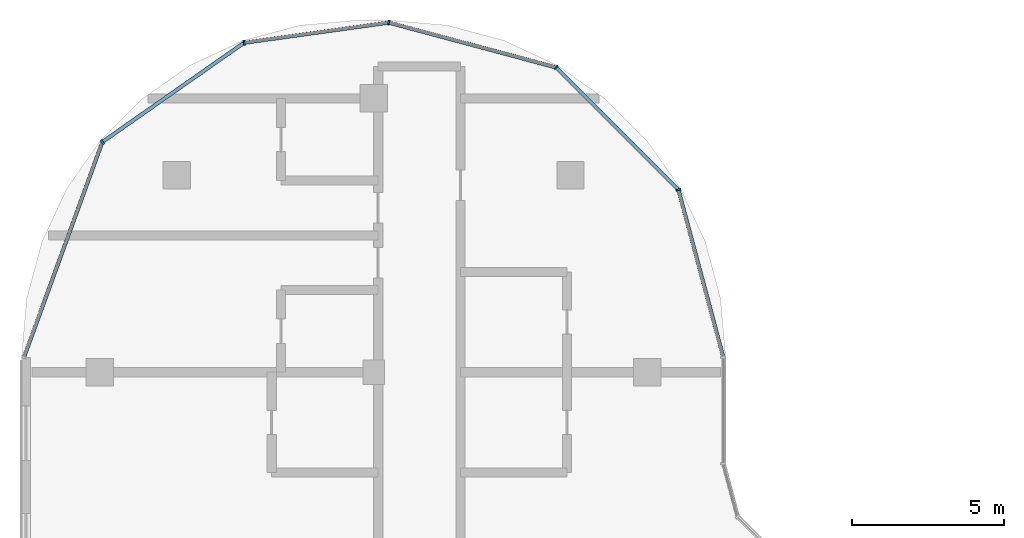
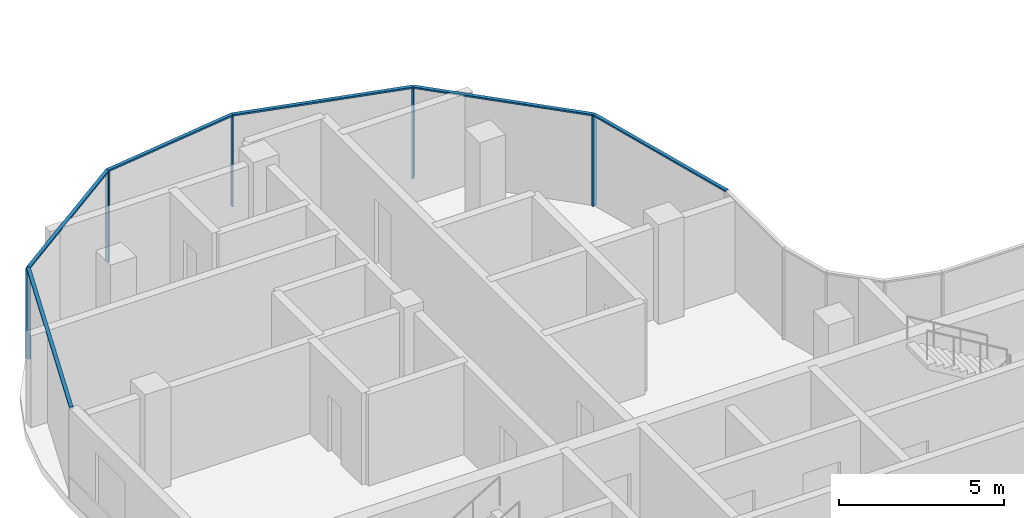
# One storey, part 6 of 18: 11 members, 1 element without a shape of its own.
"""IFC4 building model written with IfcOpenShell, lengths in metres."""

from ifc_helpers import new_model, si_unit, direction, frame, origin, origin_2d, place, context, subcontext, project, spatial, rectangle, extrude, material, material_profile, profile_set, type_object, element, aggregate, save


model = new_model("IFC4")

# Units and contexts
model_context = context("Model", 3, precision=1e-05, world=origin(), true_north=direction((0.0, 1.0)))
body_context = subcontext(model_context, "Body", "Model", "MODEL_VIEW")
ifc_project = project(units=[si_unit("LENGTHUNIT", "METRE"), si_unit("AREAUNIT", "SQUARE_METRE"), si_unit("VOLUMEUNIT", "CUBIC_METRE"), si_unit("PLANEANGLEUNIT", "RADIAN"), si_unit("MASSUNIT", "GRAM", prefix="KILO")], contexts=[model_context])

# Site, building, storey
site_placement = place(None, origin())
site = spatial("IfcSite", under=ifc_project, at=site_placement, CompositionType="ELEMENT")
building_placement = place(site_placement, origin())
building = spatial("IfcBuilding", under=site, at=building_placement, Name="Ogive Portal Towers", CompositionType="ELEMENT")
storey_placement = place(building_placement, frame((0.0, 0.0, 236.5)))
storey = spatial("IfcBuildingStorey", under=building, at=storey_placement, Name="L59", CompositionType="ELEMENT", Elevation=236.5)

# Curtain wall, members
ifc_material_1 = material(Name="Glass, clear low-iron insulated glazing", Category="glass")
curtain_wall_type = type_object("IfcCurtainWallType", Name="CW FRONT RIBBON 4500", PredefinedType="NOTDEFINED", material=ifc_material_1)
curtain_wall_placement = place(storey_placement, origin())
curtain_wall = element("IfcCurtainWall", 1, at=curtain_wall_placement, inside=storey, type_object=curtain_wall_type, Name="A:L59:f21:cwa", PredefinedType="NOTDEFINED")
ifc_material_2 = material(Name="Aluminium 6063 anodised", Category="aluminium")
ifc_material_profile_1 = material_profile(ifc_material_2, rectangle(XDim=0.159912109375, YDim=0.06005859375, at=origin_2d()), Name="AL 60x160")
ifc_profile_set_1 = profile_set([ifc_material_profile_1], Name="Aluminium 6063 anodised")
member_type_1 = type_object("IfcMemberType", Name="CW MULLION 60x160", PredefinedType="MULLION", material=ifc_profile_set_1)
member_1_placement = place(storey_placement, frame((50.51953125, 54.49609375, 0.0), z_axis=(0.0, 0.0, 1.0), x_axis=(-0.965925826289, -0.258819045103, 0.0)))
member_1 = element("IfcMember", 2, at=member_1_placement, type_object=member_type_1, Name="mullion", PredefinedType="MULLION", context=body_context, shape_type="SweptSolid", body=[
    extrude(rectangle(XDim=0.159912109375, YDim=0.06005859375, at=origin_2d()), origin(), (0.0, 0.0, 1.0), 3.340087890625),
])
member_2_placement = place(storey_placement, frame((46.49609375, 58.51953125, 0.0), z_axis=(0.0, 0.0, 1.0), x_axis=(-0.707106781187, -0.707106781187, 0.0)))
member_2 = element("IfcMember", 3, at=member_2_placement, type_object=member_type_1, Name="mullion", PredefinedType="MULLION", context=body_context, shape_type="SweptSolid", body=[
    extrude(rectangle(XDim=0.159912109375, YDim=0.06005859375, at=origin_2d()), origin(), (0.0, 0.0, 1.0), 3.340087890625),
])
member_3_placement = place(storey_placement, frame((40.994873046875, 59.993408203125, 0.0), z_axis=(0.0, 0.0, 1.0), x_axis=(-0.258819045103, -0.965925826289, 0.0)))
member_3 = element("IfcMember", 4, at=member_3_placement, type_object=member_type_1, Name="mullion", PredefinedType="MULLION", context=body_context, shape_type="SweptSolid", body=[
    extrude(rectangle(XDim=0.159912109375, YDim=0.06005859375, at=origin_2d()), origin(), (0.0, 0.0, 1.0), 3.340087890625),
])
member_4_placement = place(storey_placement, frame((36.2421875, 59.33056640625, 0.0), z_axis=(0.0, 0.0, 1.0), x_axis=(0.138161316467, -0.990409738761, 0.0)))
member_4 = element("IfcMember", 5, at=member_4_placement, type_object=member_type_1, Name="mullion", PredefinedType="MULLION", context=body_context, shape_type="SweptSolid", body=[
    extrude(rectangle(XDim=0.159912109375, YDim=0.06005859375, at=origin_2d()), origin(), (0.0, 0.0, 1.0), 3.340087890625),
])
member_5_placement = place(storey_placement, frame((31.58251953125, 56.06787109375, 0.0), z_axis=(0.0, 0.0, 1.0), x_axis=(0.573576436351, -0.819152044289, 0.0)))
member_5 = element("IfcMember", 6, at=member_5_placement, type_object=member_type_1, Name="mullion", PredefinedType="MULLION", context=body_context, shape_type="SweptSolid", body=[
    extrude(rectangle(XDim=0.159912109375, YDim=0.06005859375, at=origin_2d()), origin(), (0.0, 0.0, 1.0), 3.340087890625),
])
ifc_material_profile_2 = material_profile(ifc_material_2, rectangle(XDim=0.1201171875, YDim=0.06005859375, at=origin_2d()), Name="AL 120x60")
ifc_profile_set_2 = profile_set([ifc_material_profile_2], Name="Aluminium 6063 anodised")
member_type_2 = type_object("IfcMemberType", Name="CW TRANSOM 60x120", PredefinedType="USERDEFINED", material=ifc_profile_set_2)
member_6_placement = place(storey_placement, frame((51.9951171875, 48.989501953125, 3.3701171875), z_axis=(-0.258835265962, 0.965921479777, 0.0), x_axis=(-0.965921479777, -0.258835265962, 0.0)))
member_6 = element("IfcMember", 7, at=member_6_placement, type_object=member_type_2, Name="transom", ObjectType="TRANSOM", PredefinedType="USERDEFINED", context=body_context, shape_type="SweptSolid", body=[
    extrude(rectangle(XDim=0.1201171875, YDim=0.06005859375, at=origin_2d()), origin(), (0.0, 0.0, 1.0), 5.700927734375),
])
member_7_placement = place(storey_placement, frame((50.51953125, 54.49609375, 3.3701171875), z_axis=(-0.707106781187, 0.707106781187, 0.0), x_axis=(-0.707106781187, -0.707106781187, 0.0)))
member_7 = element("IfcMember", 8, at=member_7_placement, type_object=member_type_2, Name="transom", ObjectType="TRANSOM", PredefinedType="USERDEFINED", context=body_context, shape_type="SweptSolid", body=[
    extrude(rectangle(XDim=0.1201171875, YDim=0.06005859375, at=origin_2d()), origin(), (0.0, 0.0, 1.0), 5.68994140625),
])
member_8_placement = place(storey_placement, frame((46.49609375, 58.51953125, 3.3701171875), z_axis=(-0.96593331862, 0.258791081725, 0.0), x_axis=(-0.258791081725, -0.96593331862, 0.0)))
member_8 = element("IfcMember", 9, at=member_8_placement, type_object=member_type_2, Name="transom", ObjectType="TRANSOM", PredefinedType="USERDEFINED", context=body_context, shape_type="SweptSolid", body=[
    extrude(rectangle(XDim=0.1201171875, YDim=0.06005859375, at=origin_2d()), origin(), (0.0, 0.0, 1.0), 5.6953125),
])
member_9_placement = place(storey_placement, frame((40.994873046875, 59.993408203125, 3.3701171875), z_axis=(-0.990414123812, -0.138129878571, 0.0), x_axis=(0.138129878571, -0.990414123812, 0.0)))
member_9 = element("IfcMember", 10, at=member_9_placement, type_object=member_type_2, Name="transom", ObjectType="TRANSOM", PredefinedType="USERDEFINED", context=body_context, shape_type="SweptSolid", body=[
    extrude(rectangle(XDim=0.1201171875, YDim=0.06005859375, at=origin_2d()), origin(), (0.0, 0.0, 1.0), 4.798583984375),
])
member_10_placement = place(storey_placement, frame((36.2421875, 59.33056640625, 3.3701171875), z_axis=(-0.819155292405, -0.573571797532, 0.0), x_axis=(0.573571797532, -0.819155292405, 0.0)))
member_10 = element("IfcMember", 11, at=member_10_placement, type_object=member_type_2, Name="transom", ObjectType="TRANSOM", PredefinedType="USERDEFINED", context=body_context, shape_type="SweptSolid", body=[
    extrude(rectangle(XDim=0.1201171875, YDim=0.06005859375, at=origin_2d()), origin(), (0.0, 0.0, 1.0), 5.6884765625),
])
member_11_placement = place(storey_placement, frame((31.58251953125, 56.06787109375, 3.3701171875), z_axis=(-0.342018754399, -0.939693126313, 0.0), x_axis=(0.939693126313, -0.342018754399, 0.0)))
member_11 = element("IfcMember", 12, at=member_11_placement, type_object=member_type_2, Name="transom", ObjectType="TRANSOM", PredefinedType="USERDEFINED", context=body_context, shape_type="SweptSolid", body=[
    extrude(rectangle(XDim=0.1201171875, YDim=0.06005859375, at=origin_2d()), origin(), (0.0, 0.0, 1.0), 7.53662109375),
])
aggregate(curtain_wall, [member_6, member_7, member_8, member_9, member_10, member_11, member_1, member_2, member_3, member_4, member_5])

save(model, "model.ifc")
